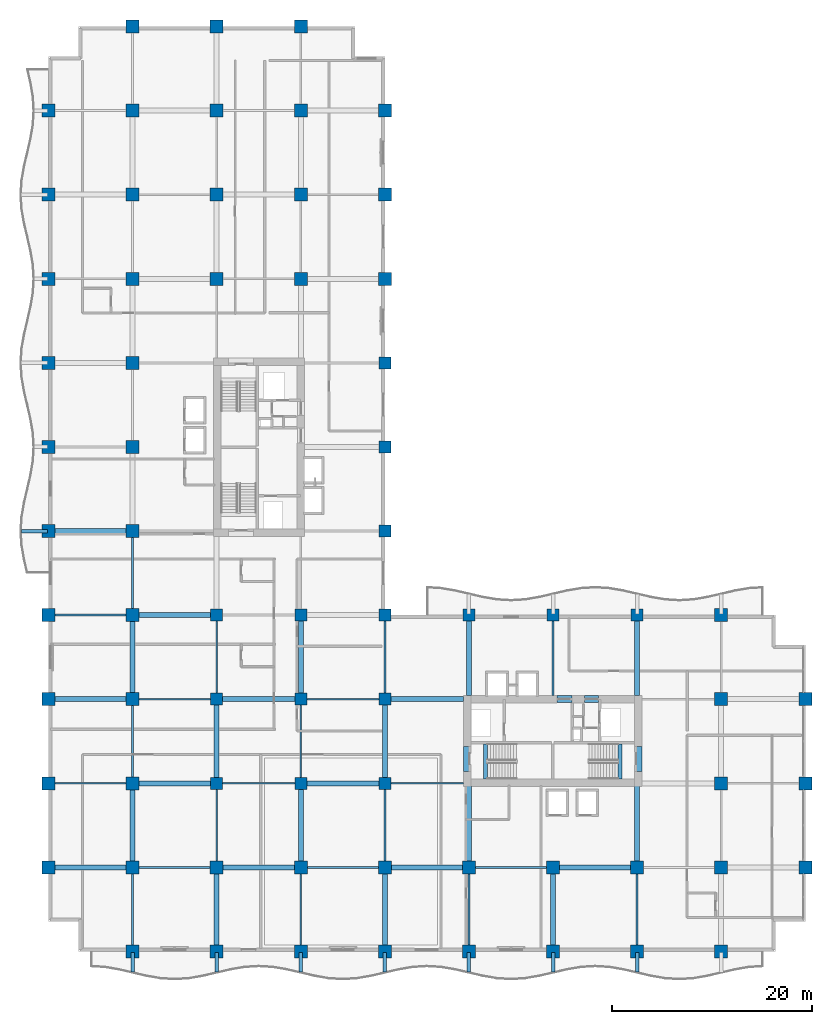
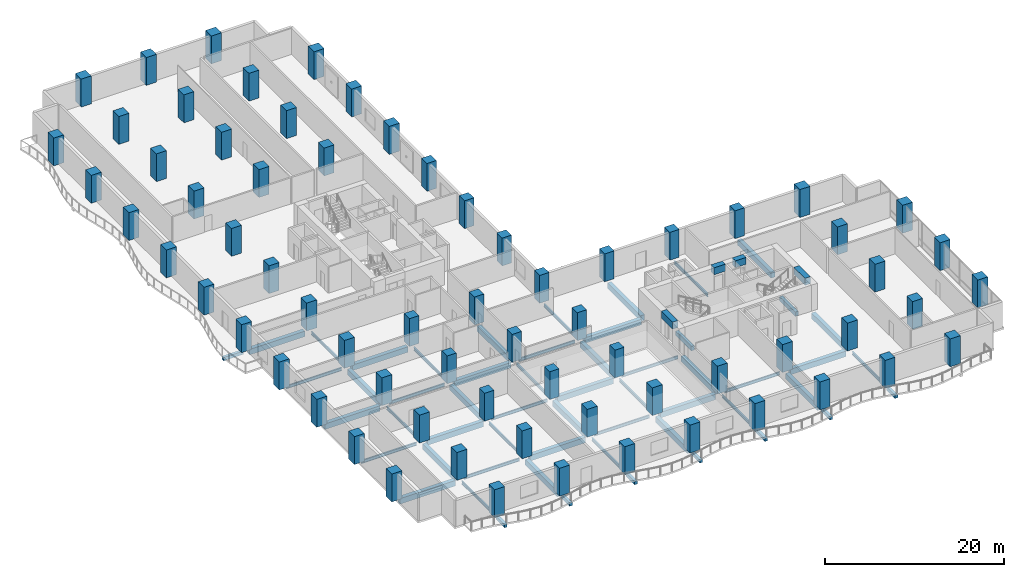
# One storey, part 1 of 23: 68 columns, 59 beams.
"""IFC4 building model written with IfcOpenShell, lengths in metres."""

from ifc_helpers import new_model, si_unit, direction, frame, origin, origin_2d, place, context, subcontext, project, spatial, rectangle, i_section, extrude, material, material_profile, profile_set, type_object, element, save


model = new_model("IFC4")

# Units and contexts
model_context = context("Model", 3, precision=1e-05, world=origin(), true_north=direction((0.0, 1.0)))
body_context = subcontext(model_context, "Body", "Model", "MODEL_VIEW")
ifc_project = project(units=[si_unit("LENGTHUNIT", "METRE"), si_unit("AREAUNIT", "SQUARE_METRE"), si_unit("VOLUMEUNIT", "CUBIC_METRE"), si_unit("PLANEANGLEUNIT", "RADIAN"), si_unit("MASSUNIT", "GRAM", prefix="KILO")], contexts=[model_context])

# Site, building, storey
site_placement = place(None, origin())
site = spatial("IfcSite", under=ifc_project, at=site_placement, CompositionType="ELEMENT")
building_placement = place(site_placement, origin())
building = spatial("IfcBuilding", under=site, at=building_placement, Name="Koriwani Terraces Tower", CompositionType="ELEMENT")
storey_placement = place(building_placement, frame((0.0, 0.0, 134.199951171875)))
storey = spatial("IfcBuildingStorey", under=building, at=storey_placement, Name="L32", CompositionType="ELEMENT", Elevation=134.199951171875)

# Columns
ifc_material_1 = material(Name="Concrete C60/75", Category="concrete")
ifc_material_profile_1 = material_profile(ifc_material_1, rectangle(XDim=1.199951171875, YDim=1.199951171875, at=origin_2d()), Name="Concrete C60/75", Category="LoadBearing")
ifc_profile_set_1 = profile_set([ifc_material_profile_1], Name="Concrete C60/75")
column_type_1 = type_object("IfcColumnType", Name="COL_RC_1200X1200", PredefinedType="COLUMN", material=ifc_profile_set_1)
for number, where, z_axis, x_axis, name in (
    (1, (16.800048828125, 16.800048828125, 0.0), (0.0, 0.0, 1.0), (1.0, 0.0, 0.0), "L32 Column 3/C"),
    (2, (16.800048828125, 25.199951171875, 0.0), (0.0, 0.0, 1.0), (1.0, 0.0, 0.0), "L32 Column 3/D"),
    (3, (16.800048828125, 33.60009765625, 0.0), (0.0, 0.0, 1.0), (1.0, 0.0, 0.0), "L32 Column 3/E"),
    (4, (25.199951171875, 16.800048828125, 0.0), (0.0, 0.0, 1.0), (1.0, 0.0, 0.0), "L32 Column 4/C"),
    (5, (25.199951171875, 25.199951171875, 0.0), (0.0, 0.0, 1.0), (1.0, 0.0, 0.0), "L32 Column 4/D"),
    (6, (25.199951171875, 33.60009765625, 0.0), (0.0, 0.0, 1.0), (1.0, 0.0, 0.0), "L32 Column 4/E"),
    (7, (33.60009765625, 16.800048828125, 0.0), (0.0, 0.0, 1.0), (1.0, 0.0, 0.0), "L32 Column 5/C"),
    (8, (33.60009765625, 25.199951171875, 0.0), (0.0, 0.0, 1.0), (1.0, 0.0, 0.0), "L32 Column 5/D"),
    (9, (33.60009765625, 33.60009765625, 0.0), (0.0, 0.0, 1.0), (1.0, 0.0, 0.0), "L32 Column 5/E"),
    (10, (33.60009765625, 42.0, 0.0), (0.0, 0.0, 1.0), (1.0, 0.0, 0.0), "L32 Column 5/F"),
    (11, (33.60009765625, 50.39990234375, 0.0), (0.0, 0.0, 1.0), (1.0, 0.0, 0.0), "L32 Column 5/G"),
    (12, (33.60009765625, 58.800048828125, 0.0), (0.0, 0.0, 1.0), (1.0, 0.0, 0.0), "L32 Column 5/H"),
    (13, (42.0, 33.60009765625, 0.0), (0.0, 0.0, 1.0), (1.0, 0.0, 0.0), "L32 Column 6/E"),
    (14, (50.39990234375, 33.60009765625, 0.0), (0.0, 0.0, 1.0), (1.0, 0.0, 0.0), "L32 Column 7/E"),
    (15, (58.800048828125, 33.60009765625, 0.0), (0.0, 0.0, 1.0), (1.0, 0.0, 0.0), "L32 Column 8/E"),
):
    element("IfcColumn", number, at=place(storey_placement, frame(where, z_axis=z_axis, x_axis=x_axis)), inside=storey, type_object=column_type_1, Name=name, PredefinedType="COLUMN", context=body_context, shape_type="SweptSolid", body=[
        extrude(rectangle(XDim=1.199951171875, YDim=1.199951171875, at=origin_2d()), origin(), (0.0, 0.0, 1.0), 3.800048828125),
    ])
ifc_material_profile_2 = material_profile(ifc_material_1, rectangle(XDim=1.300048828125, YDim=1.300048828125, at=origin_2d()), Name="Concrete C60/75", Category="LoadBearing")
ifc_profile_set_2 = profile_set([ifc_material_profile_2], Name="Concrete C60/75")
column_type_2 = type_object("IfcColumnType", Name="COL_RC_1300X1300", PredefinedType="COLUMN", material=ifc_profile_set_2)
for number, where, z_axis, x_axis, name in (
    (16, (0.0, 8.39990234375, 0.0), (0.0, 0.0, 1.0), (1.0, 0.0, 0.0), "L32 Column 1/B"),
    (17, (0.0, 16.800048828125, 0.0), (0.0, 0.0, 1.0), (1.0, 0.0, 0.0), "L32 Column 1/C"),
    (18, (0.0, 25.199951171875, 0.0), (0.0, 0.0, 1.0), (1.0, 0.0, 0.0), "L32 Column 1/D"),
    (19, (0.0, 33.60009765625, 0.0), (0.0, 0.0, 1.0), (1.0, 0.0, 0.0), "L32 Column 1/E"),
    (20, (0.0, 42.0, 0.0), (0.0, 0.0, 1.0), (1.0, 0.0, 0.0), "L32 Column 1/F"),
    (21, (0.0, 50.39990234375, 0.0), (0.0, 0.0, 1.0), (1.0, 0.0, 0.0), "L32 Column 1/G"),
    (22, (0.0, 58.800048828125, 0.0), (0.0, 0.0, 1.0), (1.0, 0.0, 0.0), "L32 Column 1/H"),
    (23, (0.0, 67.199951171875, 0.0), (0.0, 0.0, 1.0), (1.0, 0.0, 0.0), "L32 Column 1/I"),
    (24, (0.0, 75.60009765625, 0.0), (0.0, 0.0, 1.0), (1.0, 0.0, 0.0), "L32 Column 1/J"),
    (25, (0.0, 84.0, 0.0), (0.0, 0.0, 1.0), (1.0, 0.0, 0.0), "L32 Column 1/K"),
    (26, (8.39990234375, 0.0, 0.0), (0.0, 0.0, 1.0), (1.0, 0.0, 0.0), "L32 Column 2/A"),
    (27, (8.39990234375, 8.39990234375, 0.0), (0.0, 0.0, 1.0), (1.0, 0.0, 0.0), "L32 Column 2/B"),
    (28, (8.39990234375, 16.800048828125, 0.0), (0.0, 0.0, 1.0), (1.0, 0.0, 0.0), "L32 Column 2/C"),
    (29, (8.39990234375, 25.199951171875, 0.0), (0.0, 0.0, 1.0), (1.0, 0.0, 0.0), "L32 Column 2/D"),
    (30, (8.39990234375, 33.60009765625, 0.0), (0.0, 0.0, 1.0), (1.0, 0.0, 0.0), "L32 Column 2/E"),
    (31, (8.39990234375, 42.0, 0.0), (0.0, 0.0, 1.0), (1.0, 0.0, 0.0), "L32 Column 2/F"),
    (32, (8.39990234375, 50.39990234375, 0.0), (0.0, 0.0, 1.0), (1.0, 0.0, 0.0), "L32 Column 2/G"),
    (33, (8.39990234375, 58.800048828125, 0.0), (0.0, 0.0, 1.0), (1.0, 0.0, 0.0), "L32 Column 2/H"),
    (34, (8.39990234375, 67.199951171875, 0.0), (0.0, 0.0, 1.0), (1.0, 0.0, 0.0), "L32 Column 2/I"),
    (35, (8.39990234375, 75.60009765625, 0.0), (0.0, 0.0, 1.0), (1.0, 0.0, 0.0), "L32 Column 2/J"),
    (36, (8.39990234375, 84.0, 0.0), (0.0, 0.0, 1.0), (1.0, 0.0, 0.0), "L32 Column 2/K"),
    (37, (8.39990234375, 92.39990234375, 0.0), (0.0, 0.0, 1.0), (1.0, 0.0, 0.0), "L32 Column 2/L"),
    (38, (16.800048828125, 0.0, 0.0), (0.0, 0.0, 1.0), (1.0, 0.0, 0.0), "L32 Column 3/A"),
    (39, (16.800048828125, 8.39990234375, 0.0), (0.0, 0.0, 1.0), (1.0, 0.0, 0.0), "L32 Column 3/B"),
    (40, (16.800048828125, 67.199951171875, 0.0), (0.0, 0.0, 1.0), (1.0, 0.0, 0.0), "L32 Column 3/I"),
    (41, (16.800048828125, 75.60009765625, 0.0), (0.0, 0.0, 1.0), (1.0, 0.0, 0.0), "L32 Column 3/J"),
    (42, (16.800048828125, 84.0, 0.0), (0.0, 0.0, 1.0), (1.0, 0.0, 0.0), "L32 Column 3/K"),
    (43, (16.800048828125, 92.39990234375, 0.0), (0.0, 0.0, 1.0), (1.0, 0.0, 0.0), "L32 Column 3/L"),
    (44, (25.199951171875, 0.0, 0.0), (0.0, 0.0, 1.0), (1.0, 0.0, 0.0), "L32 Column 4/A"),
    (45, (25.199951171875, 8.39990234375, 0.0), (0.0, 0.0, 1.0), (1.0, 0.0, 0.0), "L32 Column 4/B"),
    (46, (25.199951171875, 67.199951171875, 0.0), (0.0, 0.0, 1.0), (1.0, 0.0, 0.0), "L32 Column 4/I"),
    (47, (25.199951171875, 75.60009765625, 0.0), (0.0, 0.0, 1.0), (1.0, 0.0, 0.0), "L32 Column 4/J"),
    (48, (25.199951171875, 84.0, 0.0), (0.0, 0.0, 1.0), (1.0, 0.0, 0.0), "L32 Column 4/K"),
    (49, (25.199951171875, 92.39990234375, 0.0), (0.0, 0.0, 1.0), (1.0, 0.0, 0.0), "L32 Column 4/L"),
    (50, (33.60009765625, 0.0, 0.0), (0.0, 0.0, 1.0), (1.0, 0.0, 0.0), "L32 Column 5/A"),
    (51, (33.60009765625, 8.39990234375, 0.0), (0.0, 0.0, 1.0), (1.0, 0.0, 0.0), "L32 Column 5/B"),
    (52, (33.60009765625, 67.199951171875, 0.0), (0.0, 0.0, 1.0), (1.0, 0.0, 0.0), "L32 Column 5/I"),
    (53, (33.60009765625, 75.60009765625, 0.0), (0.0, 0.0, 1.0), (1.0, 0.0, 0.0), "L32 Column 5/J"),
    (54, (33.60009765625, 84.0, 0.0), (0.0, 0.0, 1.0), (1.0, 0.0, 0.0), "L32 Column 5/K"),
    (55, (42.0, 0.0, 0.0), (0.0, 0.0, 1.0), (1.0, 0.0, 0.0), "L32 Column 6/A"),
    (56, (42.0, 8.39990234375, 0.0), (0.0, 0.0, 1.0), (1.0, 0.0, 0.0), "L32 Column 6/B"),
    (57, (50.39990234375, 0.0, 0.0), (0.0, 0.0, 1.0), (1.0, 0.0, 0.0), "L32 Column 7/A"),
    (58, (50.39990234375, 8.39990234375, 0.0), (0.0, 0.0, 1.0), (1.0, 0.0, 0.0), "L32 Column 7/B"),
    (59, (58.800048828125, 0.0, 0.0), (0.0, 0.0, 1.0), (1.0, 0.0, 0.0), "L32 Column 8/A"),
    (60, (58.800048828125, 8.39990234375, 0.0), (0.0, 0.0, 1.0), (1.0, 0.0, 0.0), "L32 Column 8/B"),
    (61, (67.199951171875, 0.0, 0.0), (0.0, 0.0, 1.0), (1.0, 0.0, 0.0), "L32 Column 9/A"),
    (62, (67.199951171875, 8.39990234375, 0.0), (0.0, 0.0, 1.0), (1.0, 0.0, 0.0), "L32 Column 9/B"),
    (63, (67.199951171875, 16.800048828125, 0.0), (0.0, 0.0, 1.0), (1.0, 0.0, 0.0), "L32 Column 9/C"),
    (64, (67.199951171875, 25.199951171875, 0.0), (0.0, 0.0, 1.0), (1.0, 0.0, 0.0), "L32 Column 9/D"),
    (65, (67.199951171875, 33.60009765625, 0.0), (0.0, 0.0, 1.0), (1.0, 0.0, 0.0), "L32 Column 9/E"),
    (66, (75.60009765625, 8.39990234375, 0.0), (0.0, 0.0, 1.0), (1.0, 0.0, 0.0), "L32 Column 10/B"),
    (67, (75.60009765625, 16.800048828125, 0.0), (0.0, 0.0, 1.0), (1.0, 0.0, 0.0), "L32 Column 10/C"),
    (68, (75.60009765625, 25.199951171875, 0.0), (0.0, 0.0, 1.0), (1.0, 0.0, 0.0), "L32 Column 10/D"),
):
    element("IfcColumn", number, at=place(storey_placement, frame(where, z_axis=z_axis, x_axis=x_axis)), inside=storey, type_object=column_type_2, Name=name, PredefinedType="COLUMN", context=body_context, shape_type="SweptSolid", body=[
        extrude(rectangle(XDim=1.300048828125, YDim=1.300048828125, at=origin_2d()), origin(), (0.0, 0.0, 1.0), 3.800048828125),
    ])

# Beams
ifc_material_2 = material(Name="Concrete C40/50", Category="concrete")
ifc_material_profile_3 = material_profile(ifc_material_2, rectangle(XDim=0.35009765625, YDim=0.449951171875, at=origin_2d()), Name="Concrete C40/50", Category="LoadBearing")
ifc_profile_set_3 = profile_set([ifc_material_profile_3], Name="Concrete C40/50")
beam_type_1 = type_object("IfcBeamType", Name="BEAM_RC_BALCONY_RIB_350X450", PredefinedType="JOIST", material=ifc_profile_set_3)
for number, where, z_axis, x_axis, name in (
    (69, (8.39990234375, -2.050048828125, -0.474853515625), (0.0, 1.0, 0.0), (-1.0, 0.0, 0.0), "L32 Balcony Bracket Rib S-1"),
    (70, (16.800048828125, -2.050048828125, -0.474853515625), (0.0, 1.0, 0.0), (-1.0, 0.0, 0.0), "L32 Balcony Bracket Rib S-2"),
    (71, (25.199951171875, -2.050048828125, -0.474853515625), (0.0, 1.0, 0.0), (-1.0, 0.0, 0.0), "L32 Balcony Bracket Rib S-3"),
    (72, (33.60009765625, -2.050048828125, -0.474853515625), (0.0, 1.0, 0.0), (-1.0, 0.0, 0.0), "L32 Balcony Bracket Rib S-4"),
    (73, (42.0, -2.050048828125, -0.474853515625), (0.0, 1.0, 0.0), (-1.0, 0.0, 0.0), "L32 Balcony Bracket Rib S-5"),
    (74, (50.39990234375, -2.050048828125, -0.474853515625), (0.0, 1.0, 0.0), (-1.0, 0.0, 0.0), "L32 Balcony Bracket Rib S-6"),
    (75, (58.800048828125, -2.050048828125, -0.474853515625), (0.0, 1.0, 0.0), (-1.0, 0.0, 0.0), "L32 Balcony Bracket Rib S-7"),
):
    element("IfcBeam", number, at=place(storey_placement, frame(where, z_axis=z_axis, x_axis=x_axis)), inside=storey, type_object=beam_type_1, Name=name, PredefinedType="JOIST", context=body_context, shape_type="SweptSolid", body=[
        extrude(rectangle(XDim=0.35009765625, YDim=0.449951171875, at=origin_2d()), origin(), (0.0, 0.0, 1.0), 1.949951171875),
    ])
beam_1_placement = place(storey_placement, frame((-2.699951171875, 42.0, -0.474853515625), z_axis=(1.0, 0.0, 0.0), x_axis=(0.0, 1.0, 0.0)))
element("IfcBeam", 76, at=beam_1_placement, inside=storey, type_object=beam_type_1, Name="L32 Balcony Bracket Rib W-1", PredefinedType="JOIST", context=body_context, shape_type="SweptSolid", body=[
    extrude(rectangle(XDim=0.35009765625, YDim=0.449951171875, at=origin_2d()), origin(), (0.0, 0.0, 1.0), 2.599853515625),
])
ifc_material_profile_4 = material_profile(ifc_material_1, rectangle(XDim=0.699951171875, YDim=0.949951171875, at=origin_2d()), Name="Concrete C60/75", Category="LoadBearing")
ifc_profile_set_4 = profile_set([ifc_material_profile_4], Name="Concrete C60/75")
beam_type_2 = type_object("IfcBeamType", Name="BEAM_RC_COUPLING_700X950", PredefinedType="LINTEL", material=ifc_profile_set_4)
beam_2_placement = place(storey_placement, frame((50.800048828125, 25.199951171875, 3.074951171875), z_axis=(1.0, 0.0, 0.0), x_axis=(0.0, 1.0, 0.0)))
element("IfcBeam", 77, at=beam_2_placement, inside=storey, type_object=beam_type_2, Name="L32 Core Coupling Lintel Beam EN1", PredefinedType="LINTEL", context=body_context, shape_type="SweptSolid", body=[
    extrude(rectangle(XDim=0.699951171875, YDim=0.949951171875, at=origin_2d()), origin(), (0.0, 0.0, 1.0), 1.47998046875),
])
beam_3_placement = place(storey_placement, frame((53.550048828125, 25.199951171875, 3.074951171875), z_axis=(1.0, 0.0, 0.0), x_axis=(0.0, 1.0, 0.0)))
element("IfcBeam", 78, at=beam_3_placement, inside=storey, type_object=beam_type_2, Name="L32 Core Coupling Lintel Beam EN2", PredefinedType="LINTEL", context=body_context, shape_type="SweptSolid", body=[
    extrude(rectangle(XDim=0.699951171875, YDim=0.949951171875, at=origin_2d()), origin(), (0.0, 0.0, 1.0), 1.39990234375),
])
for number, where, z_axis, x_axis, name in (
    (79, (41.824951171875, 18.0, 3.074951171875), (0.0, 1.0, 0.0), (-1.0, 0.0, 0.0), "L32 Core Coupling Lintel Beam EW"),
    (80, (58.925048828125, 18.0, 3.074951171875), (0.0, 1.0, 0.0), (-1.0, 0.0, 0.0), "L32 Core Coupling Lintel Beam EE"),
):
    element("IfcBeam", number, at=place(storey_placement, frame(where, z_axis=z_axis, x_axis=x_axis)), inside=storey, type_object=beam_type_2, Name=name, PredefinedType="LINTEL", context=body_context, shape_type="SweptSolid", body=[
        extrude(rectangle(XDim=0.699951171875, YDim=0.949951171875, at=origin_2d()), origin(), (0.0, 0.0, 1.0), 2.5),
    ])
ifc_material_profile_5 = material_profile(ifc_material_2, rectangle(XDim=0.39990234375, YDim=0.60009765625, at=origin_2d()), Name="Concrete C40/50", Category="LoadBearing")
ifc_profile_set_5 = profile_set([ifc_material_profile_5], Name="Concrete C40/50")
beam_type_3 = type_object("IfcBeamType", Name="BEAM_RC_GRID_400X600", PredefinedType="BEAM", material=ifc_profile_set_5)
for number, where, z_axis, x_axis, name in (
    (81, (43.655029296875, 17.25, -0.300048828125), (0.0, 1.0, 0.0), (-1.0, 0.0, 0.0), "L32 Stairwell Header Trimmer Beam ST-E1"),
    (82, (57.094970703125, 17.25, -0.300048828125), (0.0, 1.0, 0.0), (-1.0, 0.0, 0.0), "L32 Stairwell Header Trimmer Beam ST-E2"),
):
    element("IfcBeam", number, at=place(storey_placement, frame(where, z_axis=z_axis, x_axis=x_axis)), inside=storey, type_object=beam_type_3, Name=name, PredefinedType="BEAM", context=body_context, shape_type="SweptSolid", body=[
        extrude(rectangle(XDim=0.39990234375, YDim=0.60009765625, at=origin_2d()), origin(), (0.0, 0.0, 1.0), 3.5),
    ])
ifc_material_3 = material(Name="Concrete C50/60", Category="concrete")
ifc_material_profile_6 = material_profile(ifc_material_3, rectangle(XDim=0.5, YDim=0.75, at=origin_2d()), Name="Concrete C50/60", Category="LoadBearing")
ifc_profile_set_6 = profile_set([ifc_material_profile_6], Name="Concrete C50/60")
beam_type_4 = type_object("IfcBeamType", Name="BEAM_RC_GRID_500X750", PredefinedType="BEAM", material=ifc_profile_set_6)
for number, where, z_axis, x_axis, name in (
    (83, (0.6298828125, 8.39990234375, -0.625), (1.0, 0.0, 0.0), (0.0, 1.0, 0.0), "L32 Grid Beam B (0.0-8.4m)"),
    (84, (17.429931640625, 8.39990234375, -0.625), (1.0, 0.0, 0.0), (0.0, 1.0, 0.0), "L32 Grid Beam B (16.8-25.2m)"),
    (85, (34.22998046875, 8.39990234375, -0.625), (1.0, 0.0, 0.0), (0.0, 1.0, 0.0), "L32 Grid Beam B (33.6-42.0m)"),
):
    element("IfcBeam", number, at=place(storey_placement, frame(where, z_axis=z_axis, x_axis=x_axis)), inside=storey, type_object=beam_type_4, Name=name, PredefinedType="BEAM", context=body_context, shape_type="SweptSolid", body=[
        extrude(rectangle(XDim=0.5, YDim=0.75, at=origin_2d()), origin(), (0.0, 0.0, 1.0), 7.14013671875),
    ])
beam_4_placement = place(storey_placement, frame((51.030029296875, 8.39990234375, -0.625), z_axis=(1.0, 0.0, 0.0), x_axis=(0.0, 1.0, 0.0)))
element("IfcBeam", 86, at=beam_4_placement, inside=storey, type_object=beam_type_4, Name="L32 Grid Beam B (50.4-58.8m)", PredefinedType="BEAM", context=body_context, shape_type="SweptSolid", body=[
    extrude(rectangle(XDim=0.5, YDim=0.75, at=origin_2d()), origin(), (0.0, 0.0, 1.0), 7.139892578125),
])
beam_5_placement = place(storey_placement, frame((9.030029296875, 16.800048828125, -0.625), z_axis=(1.0, 0.0, 0.0), x_axis=(0.0, 1.0, 0.0)))
element("IfcBeam", 87, at=beam_5_placement, inside=storey, type_object=beam_type_4, Name="L32 Grid Beam C (8.4-16.8m)", PredefinedType="BEAM", context=body_context, shape_type="SweptSolid", body=[
    extrude(rectangle(XDim=0.5, YDim=0.75, at=origin_2d()), origin(), (0.0, 0.0, 1.0), 7.18994140625),
])
beam_6_placement = place(storey_placement, frame((25.780029296875, 16.800048828125, -0.625), z_axis=(1.0, 0.0, 0.0), x_axis=(0.0, 1.0, 0.0)))
element("IfcBeam", 88, at=beam_6_placement, inside=storey, type_object=beam_type_4, Name="L32 Grid Beam C (25.2-33.6m)", PredefinedType="BEAM", context=body_context, shape_type="SweptSolid", body=[
    extrude(rectangle(XDim=0.5, YDim=0.75, at=origin_2d()), origin(), (0.0, 0.0, 1.0), 7.239990234375),
])
beam_7_placement = place(storey_placement, frame((0.6298828125, 25.199951171875, -0.625), z_axis=(1.0, 0.0, 0.0), x_axis=(0.0, 1.0, 0.0)))
element("IfcBeam", 89, at=beam_7_placement, inside=storey, type_object=beam_type_4, Name="L32 Grid Beam D (0.0-8.4m)", PredefinedType="BEAM", context=body_context, shape_type="SweptSolid", body=[
    extrude(rectangle(XDim=0.5, YDim=0.75, at=origin_2d()), origin(), (0.0, 0.0, 1.0), 7.14013671875),
])
beam_8_placement = place(storey_placement, frame((17.3798828125, 25.199951171875, -0.625), z_axis=(1.0, 0.0, 0.0), x_axis=(0.0, 1.0, 0.0)))
element("IfcBeam", 90, at=beam_8_placement, inside=storey, type_object=beam_type_4, Name="L32 Grid Beam D (16.8-25.2m)", PredefinedType="BEAM", context=body_context, shape_type="SweptSolid", body=[
    extrude(rectangle(XDim=0.5, YDim=0.75, at=origin_2d()), origin(), (0.0, 0.0, 1.0), 7.240234375),
])
beam_9_placement = place(storey_placement, frame((34.179931640625, 25.199951171875, -0.625), z_axis=(1.0, 0.0, 0.0), x_axis=(0.0, 1.0, 0.0)))
element("IfcBeam", 91, at=beam_9_placement, inside=storey, type_object=beam_type_4, Name="L32 Grid Beam D (33.6-42.0m)", PredefinedType="BEAM", context=body_context, shape_type="SweptSolid", body=[
    extrude(rectangle(XDim=0.5, YDim=0.75, at=origin_2d()), origin(), (0.0, 0.0, 1.0), 7.2900390625),
])
beam_10_placement = place(storey_placement, frame((9.030029296875, 33.60009765625, -0.625), z_axis=(1.0, 0.0, 0.0), x_axis=(0.0, 1.0, 0.0)))
element("IfcBeam", 92, at=beam_10_placement, inside=storey, type_object=beam_type_4, Name="L32 Grid Beam E (8.4-16.8m)", PredefinedType="BEAM", context=body_context, shape_type="SweptSolid", body=[
    extrude(rectangle(XDim=0.5, YDim=0.75, at=origin_2d()), origin(), (0.0, 0.0, 1.0), 7.18994140625),
])
beam_11_placement = place(storey_placement, frame((0.6298828125, 42.0, -0.625), z_axis=(1.0, 0.0, 0.0), x_axis=(0.0, 1.0, 0.0)))
element("IfcBeam", 93, at=beam_11_placement, inside=storey, type_object=beam_type_4, Name="L32 Grid Beam F (0.0-8.4m)", PredefinedType="BEAM", context=body_context, shape_type="SweptSolid", body=[
    extrude(rectangle(XDim=0.5, YDim=0.75, at=origin_2d()), origin(), (0.0, 0.0, 1.0), 7.14013671875),
])
for number, where, z_axis, x_axis, name in (
    (94, (8.39990234375, 9.030029296875, -0.625), (0.0, 1.0, 0.0), (-1.0, 0.0, 0.0), "L32 Grid Beam 2 (8.4-16.8m)"),
    (95, (8.39990234375, 25.830078125, -0.625), (0.0, 1.0, 0.0), (-1.0, 0.0, 0.0), "L32 Grid Beam 2 (25.2-33.6m)"),
):
    element("IfcBeam", number, at=place(storey_placement, frame(where, z_axis=z_axis, x_axis=x_axis)), inside=storey, type_object=beam_type_4, Name=name, PredefinedType="BEAM", context=body_context, shape_type="SweptSolid", body=[
        extrude(rectangle(XDim=0.5, YDim=0.75, at=origin_2d()), origin(), (0.0, 0.0, 1.0), 7.139892578125),
    ])
beam_12_placement = place(storey_placement, frame((16.800048828125, 0.6298828125, -0.625), z_axis=(0.0, 1.0, 0.0), x_axis=(-1.0, 0.0, 0.0)))
element("IfcBeam", 96, at=beam_12_placement, inside=storey, type_object=beam_type_4, Name="L32 Grid Beam 3 (0.0-8.4m)", PredefinedType="BEAM", context=body_context, shape_type="SweptSolid", body=[
    extrude(rectangle(XDim=0.5, YDim=0.75, at=origin_2d()), origin(), (0.0, 0.0, 1.0), 7.14013671875),
])
beam_13_placement = place(storey_placement, frame((16.800048828125, 17.3798828125, -0.625), z_axis=(0.0, 1.0, 0.0), x_axis=(-1.0, 0.0, 0.0)))
element("IfcBeam", 97, at=beam_13_placement, inside=storey, type_object=beam_type_4, Name="L32 Grid Beam 3 (16.8-25.2m)", PredefinedType="BEAM", context=body_context, shape_type="SweptSolid", body=[
    extrude(rectangle(XDim=0.5, YDim=0.75, at=origin_2d()), origin(), (0.0, 0.0, 1.0), 7.240234375),
])
beam_14_placement = place(storey_placement, frame((25.199951171875, 9.030029296875, -0.625), z_axis=(0.0, 1.0, 0.0), x_axis=(-1.0, 0.0, 0.0)))
element("IfcBeam", 98, at=beam_14_placement, inside=storey, type_object=beam_type_4, Name="L32 Grid Beam 4 (8.4-16.8m)", PredefinedType="BEAM", context=body_context, shape_type="SweptSolid", body=[
    extrude(rectangle(XDim=0.5, YDim=0.75, at=origin_2d()), origin(), (0.0, 0.0, 1.0), 7.18994140625),
])
beam_15_placement = place(storey_placement, frame((25.199951171875, 25.780029296875, -0.625), z_axis=(0.0, 1.0, 0.0), x_axis=(-1.0, 0.0, 0.0)))
element("IfcBeam", 99, at=beam_15_placement, inside=storey, type_object=beam_type_4, Name="L32 Grid Beam 4 (25.2-33.6m)", PredefinedType="BEAM", context=body_context, shape_type="SweptSolid", body=[
    extrude(rectangle(XDim=0.5, YDim=0.75, at=origin_2d()), origin(), (0.0, 0.0, 1.0), 7.239990234375),
])
beam_16_placement = place(storey_placement, frame((33.60009765625, 0.6298828125, -0.625), z_axis=(0.0, 1.0, 0.0), x_axis=(-1.0, 0.0, 0.0)))
element("IfcBeam", 100, at=beam_16_placement, inside=storey, type_object=beam_type_4, Name="L32 Grid Beam 5 (0.0-8.4m)", PredefinedType="BEAM", context=body_context, shape_type="SweptSolid", body=[
    extrude(rectangle(XDim=0.5, YDim=0.75, at=origin_2d()), origin(), (0.0, 0.0, 1.0), 7.14013671875),
])
beam_17_placement = place(storey_placement, frame((33.60009765625, 17.3798828125, -0.625), z_axis=(0.0, 1.0, 0.0), x_axis=(-1.0, 0.0, 0.0)))
element("IfcBeam", 101, at=beam_17_placement, inside=storey, type_object=beam_type_4, Name="L32 Grid Beam 5 (16.8-25.2m)", PredefinedType="BEAM", context=body_context, shape_type="SweptSolid", body=[
    extrude(rectangle(XDim=0.5, YDim=0.75, at=origin_2d()), origin(), (0.0, 0.0, 1.0), 7.240234375),
])
beam_18_placement = place(storey_placement, frame((42.0, 9.030029296875, -0.625), z_axis=(0.0, 1.0, 0.0), x_axis=(-1.0, 0.0, 0.0)))
element("IfcBeam", 102, at=beam_18_placement, inside=storey, type_object=beam_type_4, Name="L32 Grid Beam 6 (8.4-16.8m)", PredefinedType="BEAM", context=body_context, shape_type="SweptSolid", body=[
    extrude(rectangle(XDim=0.5, YDim=0.75, at=origin_2d()), origin(), (0.0, 0.0, 1.0), 7.489990234375),
])
beam_19_placement = place(storey_placement, frame((42.0, 25.554931640625, -0.625), z_axis=(0.0, 1.0, 0.0), x_axis=(-1.0, 0.0, 0.0)))
element("IfcBeam", 103, at=beam_19_placement, inside=storey, type_object=beam_type_4, Name="L32 Grid Beam 6 (25.2-33.6m)", PredefinedType="BEAM", context=body_context, shape_type="SweptSolid", body=[
    extrude(rectangle(XDim=0.5, YDim=0.75, at=origin_2d()), origin(), (0.0, 0.0, 1.0), 7.465087890625),
])
beam_20_placement = place(storey_placement, frame((50.39990234375, 0.6298828125, -0.625), z_axis=(0.0, 1.0, 0.0), x_axis=(-1.0, 0.0, 0.0)))
element("IfcBeam", 104, at=beam_20_placement, inside=storey, type_object=beam_type_4, Name="L32 Grid Beam 7 (0.0-8.4m)", PredefinedType="BEAM", context=body_context, shape_type="SweptSolid", body=[
    extrude(rectangle(XDim=0.5, YDim=0.75, at=origin_2d()), origin(), (0.0, 0.0, 1.0), 7.14013671875),
])
beam_21_placement = place(storey_placement, frame((58.800048828125, 9.030029296875, -0.625), z_axis=(0.0, 1.0, 0.0), x_axis=(-1.0, 0.0, 0.0)))
element("IfcBeam", 105, at=beam_21_placement, inside=storey, type_object=beam_type_4, Name="L32 Grid Beam 8 (8.4-16.8m)", PredefinedType="BEAM", context=body_context, shape_type="SweptSolid", body=[
    extrude(rectangle(XDim=0.5, YDim=0.75, at=origin_2d()), origin(), (0.0, 0.0, 1.0), 7.489990234375),
])
beam_22_placement = place(storey_placement, frame((58.800048828125, 25.554931640625, -0.625), z_axis=(0.0, 1.0, 0.0), x_axis=(-1.0, 0.0, 0.0)))
element("IfcBeam", 106, at=beam_22_placement, inside=storey, type_object=beam_type_4, Name="L32 Grid Beam 8 (25.2-33.6m)", PredefinedType="BEAM", context=body_context, shape_type="SweptSolid", body=[
    extrude(rectangle(XDim=0.5, YDim=0.75, at=origin_2d()), origin(), (0.0, 0.0, 1.0), 7.465087890625),
])
ifc_material_4 = material(Name="Steel ASTM A572 Grade 50", Category="steel")
ifc_material_profile_7 = material_profile(ifc_material_4, i_section(OverallWidth=0.180908203125, OverallDepth=0.4169921875, WebThickness=0.010986328125, FlangeThickness=0.018310546875, at=origin_2d()), Name="Steel ASTM A572 Grade 50", Category="LoadBearing")
ifc_profile_set_7 = profile_set([ifc_material_profile_7], Name="Steel ASTM A572 Grade 50")
beam_type_5 = type_object("IfcBeamType", Name="STEEL_BEAM_W410X85", PredefinedType="JOIST", material=ifc_profile_set_7)
for number, where, z_axis, x_axis, name in (
    (107, (9.030029296875, 8.39990234375, -0.45849609375), (1.0, 0.0, 0.0), (0.0, 1.0, 0.0), "L32 Grid Beam B (8.4-16.8m)"),
    (108, (25.830078125, 8.39990234375, -0.45849609375), (1.0, 0.0, 0.0), (0.0, 1.0, 0.0), "L32 Grid Beam B (25.2-33.6m)"),
):
    element("IfcBeam", number, at=place(storey_placement, frame(where, z_axis=z_axis, x_axis=x_axis)), inside=storey, type_object=beam_type_5, Name=name, PredefinedType="JOIST", context=body_context, shape_type="SweptSolid", body=[
        extrude(i_section(OverallWidth=0.180908203125, OverallDepth=0.4169921875, WebThickness=0.010986328125, FlangeThickness=0.018310546875, at=origin_2d()), origin(), (0.0, 0.0, 1.0), 7.139892578125),
    ])
for number, where, z_axis, x_axis, name in (
    (109, (42.6298828125, 8.39990234375, -0.45849609375), (1.0, 0.0, 0.0), (0.0, 1.0, 0.0), "L32 Grid Beam B (42.0-50.4m)"),
    (110, (0.6298828125, 16.800048828125, -0.45849609375), (1.0, 0.0, 0.0), (0.0, 1.0, 0.0), "L32 Grid Beam C (0.0-8.4m)"),
):
    element("IfcBeam", number, at=place(storey_placement, frame(where, z_axis=z_axis, x_axis=x_axis)), inside=storey, type_object=beam_type_5, Name=name, PredefinedType="JOIST", context=body_context, shape_type="SweptSolid", body=[
        extrude(i_section(OverallWidth=0.180908203125, OverallDepth=0.4169921875, WebThickness=0.010986328125, FlangeThickness=0.018310546875, at=origin_2d()), origin(), (0.0, 0.0, 1.0), 7.14013671875),
    ])
beam_23_placement = place(storey_placement, frame((17.3798828125, 16.800048828125, -0.45849609375), z_axis=(1.0, 0.0, 0.0), x_axis=(0.0, 1.0, 0.0)))
element("IfcBeam", 111, at=beam_23_placement, inside=storey, type_object=beam_type_5, Name="L32 Grid Beam C (16.8-25.2m)", PredefinedType="JOIST", context=body_context, shape_type="SweptSolid", body=[
    extrude(i_section(OverallWidth=0.180908203125, OverallDepth=0.4169921875, WebThickness=0.010986328125, FlangeThickness=0.018310546875, at=origin_2d()), origin(), (0.0, 0.0, 1.0), 7.240234375),
])
beam_24_placement = place(storey_placement, frame((34.179931640625, 16.800048828125, -0.45849609375), z_axis=(1.0, 0.0, 0.0), x_axis=(0.0, 1.0, 0.0)))
element("IfcBeam", 112, at=beam_24_placement, inside=storey, type_object=beam_type_5, Name="L32 Grid Beam C (33.6-42.0m)", PredefinedType="JOIST", context=body_context, shape_type="SweptSolid", body=[
    extrude(i_section(OverallWidth=0.180908203125, OverallDepth=0.4169921875, WebThickness=0.010986328125, FlangeThickness=0.018310546875, at=origin_2d()), origin(), (0.0, 0.0, 1.0), 7.2900390625),
])
beam_25_placement = place(storey_placement, frame((9.030029296875, 25.199951171875, -0.45849609375), z_axis=(1.0, 0.0, 0.0), x_axis=(0.0, 1.0, 0.0)))
element("IfcBeam", 113, at=beam_25_placement, inside=storey, type_object=beam_type_5, Name="L32 Grid Beam D (8.4-16.8m)", PredefinedType="JOIST", context=body_context, shape_type="SweptSolid", body=[
    extrude(i_section(OverallWidth=0.180908203125, OverallDepth=0.4169921875, WebThickness=0.010986328125, FlangeThickness=0.018310546875, at=origin_2d()), origin(), (0.0, 0.0, 1.0), 7.18994140625),
])
beam_26_placement = place(storey_placement, frame((25.780029296875, 25.199951171875, -0.45849609375), z_axis=(1.0, 0.0, 0.0), x_axis=(0.0, 1.0, 0.0)))
element("IfcBeam", 114, at=beam_26_placement, inside=storey, type_object=beam_type_5, Name="L32 Grid Beam D (25.2-33.6m)", PredefinedType="JOIST", context=body_context, shape_type="SweptSolid", body=[
    extrude(i_section(OverallWidth=0.180908203125, OverallDepth=0.4169921875, WebThickness=0.010986328125, FlangeThickness=0.018310546875, at=origin_2d()), origin(), (0.0, 0.0, 1.0), 7.239990234375),
])
for number, where, z_axis, x_axis, name in (
    (115, (0.6298828125, 33.60009765625, -0.45849609375), (1.0, 0.0, 0.0), (0.0, 1.0, 0.0), "L32 Grid Beam E (0.0-8.4m)"),
    (116, (8.39990234375, 0.6298828125, -0.45849609375), (0.0, 1.0, 0.0), (-1.0, 0.0, 0.0), "L32 Grid Beam 2 (0.0-8.4m)"),
    (117, (8.39990234375, 17.429931640625, -0.45849609375), (0.0, 1.0, 0.0), (-1.0, 0.0, 0.0), "L32 Grid Beam 2 (16.8-25.2m)"),
    (118, (8.39990234375, 34.22998046875, -0.45849609375), (0.0, 1.0, 0.0), (-1.0, 0.0, 0.0), "L32 Grid Beam 2 (33.6-42.0m)"),
):
    element("IfcBeam", number, at=place(storey_placement, frame(where, z_axis=z_axis, x_axis=x_axis)), inside=storey, type_object=beam_type_5, Name=name, PredefinedType="JOIST", context=body_context, shape_type="SweptSolid", body=[
        extrude(i_section(OverallWidth=0.180908203125, OverallDepth=0.4169921875, WebThickness=0.010986328125, FlangeThickness=0.018310546875, at=origin_2d()), origin(), (0.0, 0.0, 1.0), 7.14013671875),
    ])
beam_27_placement = place(storey_placement, frame((16.800048828125, 9.030029296875, -0.45849609375), z_axis=(0.0, 1.0, 0.0), x_axis=(-1.0, 0.0, 0.0)))
element("IfcBeam", 119, at=beam_27_placement, inside=storey, type_object=beam_type_5, Name="L32 Grid Beam 3 (8.4-16.8m)", PredefinedType="JOIST", context=body_context, shape_type="SweptSolid", body=[
    extrude(i_section(OverallWidth=0.180908203125, OverallDepth=0.4169921875, WebThickness=0.010986328125, FlangeThickness=0.018310546875, at=origin_2d()), origin(), (0.0, 0.0, 1.0), 7.18994140625),
])
beam_28_placement = place(storey_placement, frame((16.800048828125, 25.780029296875, -0.45849609375), z_axis=(0.0, 1.0, 0.0), x_axis=(-1.0, 0.0, 0.0)))
element("IfcBeam", 120, at=beam_28_placement, inside=storey, type_object=beam_type_5, Name="L32 Grid Beam 3 (25.2-33.6m)", PredefinedType="JOIST", context=body_context, shape_type="SweptSolid", body=[
    extrude(i_section(OverallWidth=0.180908203125, OverallDepth=0.4169921875, WebThickness=0.010986328125, FlangeThickness=0.018310546875, at=origin_2d()), origin(), (0.0, 0.0, 1.0), 7.239990234375),
])
beam_29_placement = place(storey_placement, frame((25.199951171875, 0.6298828125, -0.45849609375), z_axis=(0.0, 1.0, 0.0), x_axis=(-1.0, 0.0, 0.0)))
element("IfcBeam", 121, at=beam_29_placement, inside=storey, type_object=beam_type_5, Name="L32 Grid Beam 4 (0.0-8.4m)", PredefinedType="JOIST", context=body_context, shape_type="SweptSolid", body=[
    extrude(i_section(OverallWidth=0.180908203125, OverallDepth=0.4169921875, WebThickness=0.010986328125, FlangeThickness=0.018310546875, at=origin_2d()), origin(), (0.0, 0.0, 1.0), 7.14013671875),
])
beam_30_placement = place(storey_placement, frame((25.199951171875, 17.3798828125, -0.45849609375), z_axis=(0.0, 1.0, 0.0), x_axis=(-1.0, 0.0, 0.0)))
element("IfcBeam", 122, at=beam_30_placement, inside=storey, type_object=beam_type_5, Name="L32 Grid Beam 4 (16.8-25.2m)", PredefinedType="JOIST", context=body_context, shape_type="SweptSolid", body=[
    extrude(i_section(OverallWidth=0.180908203125, OverallDepth=0.4169921875, WebThickness=0.010986328125, FlangeThickness=0.018310546875, at=origin_2d()), origin(), (0.0, 0.0, 1.0), 7.240234375),
])
beam_31_placement = place(storey_placement, frame((33.60009765625, 9.030029296875, -0.45849609375), z_axis=(0.0, 1.0, 0.0), x_axis=(-1.0, 0.0, 0.0)))
element("IfcBeam", 123, at=beam_31_placement, inside=storey, type_object=beam_type_5, Name="L32 Grid Beam 5 (8.4-16.8m)", PredefinedType="JOIST", context=body_context, shape_type="SweptSolid", body=[
    extrude(i_section(OverallWidth=0.180908203125, OverallDepth=0.4169921875, WebThickness=0.010986328125, FlangeThickness=0.018310546875, at=origin_2d()), origin(), (0.0, 0.0, 1.0), 7.18994140625),
])
beam_32_placement = place(storey_placement, frame((33.60009765625, 25.780029296875, -0.45849609375), z_axis=(0.0, 1.0, 0.0), x_axis=(-1.0, 0.0, 0.0)))
element("IfcBeam", 124, at=beam_32_placement, inside=storey, type_object=beam_type_5, Name="L32 Grid Beam 5 (25.2-33.6m)", PredefinedType="JOIST", context=body_context, shape_type="SweptSolid", body=[
    extrude(i_section(OverallWidth=0.180908203125, OverallDepth=0.4169921875, WebThickness=0.010986328125, FlangeThickness=0.018310546875, at=origin_2d()), origin(), (0.0, 0.0, 1.0), 7.239990234375),
])
beam_33_placement = place(storey_placement, frame((42.0, 0.6298828125, -0.45849609375), z_axis=(0.0, 1.0, 0.0), x_axis=(-1.0, 0.0, 0.0)))
element("IfcBeam", 125, at=beam_33_placement, inside=storey, type_object=beam_type_5, Name="L32 Grid Beam 6 (0.0-8.4m)", PredefinedType="JOIST", context=body_context, shape_type="SweptSolid", body=[
    extrude(i_section(OverallWidth=0.180908203125, OverallDepth=0.4169921875, WebThickness=0.010986328125, FlangeThickness=0.018310546875, at=origin_2d()), origin(), (0.0, 0.0, 1.0), 7.14013671875),
])
beam_34_placement = place(storey_placement, frame((50.39990234375, 25.554931640625, -0.45849609375), z_axis=(0.0, 1.0, 0.0), x_axis=(-1.0, 0.0, 0.0)))
element("IfcBeam", 126, at=beam_34_placement, inside=storey, type_object=beam_type_5, Name="L32 Grid Beam 7 (25.2-33.6m)", PredefinedType="JOIST", context=body_context, shape_type="SweptSolid", body=[
    extrude(i_section(OverallWidth=0.180908203125, OverallDepth=0.4169921875, WebThickness=0.010986328125, FlangeThickness=0.018310546875, at=origin_2d()), origin(), (0.0, 0.0, 1.0), 7.465087890625),
])
beam_35_placement = place(storey_placement, frame((58.800048828125, 0.6298828125, -0.45849609375), z_axis=(0.0, 1.0, 0.0), x_axis=(-1.0, 0.0, 0.0)))
element("IfcBeam", 127, at=beam_35_placement, inside=storey, type_object=beam_type_5, Name="L32 Grid Beam 8 (0.0-8.4m)", PredefinedType="JOIST", context=body_context, shape_type="SweptSolid", body=[
    extrude(i_section(OverallWidth=0.180908203125, OverallDepth=0.4169921875, WebThickness=0.010986328125, FlangeThickness=0.018310546875, at=origin_2d()), origin(), (0.0, 0.0, 1.0), 7.14013671875),
])

save(model, "model.ifc")
